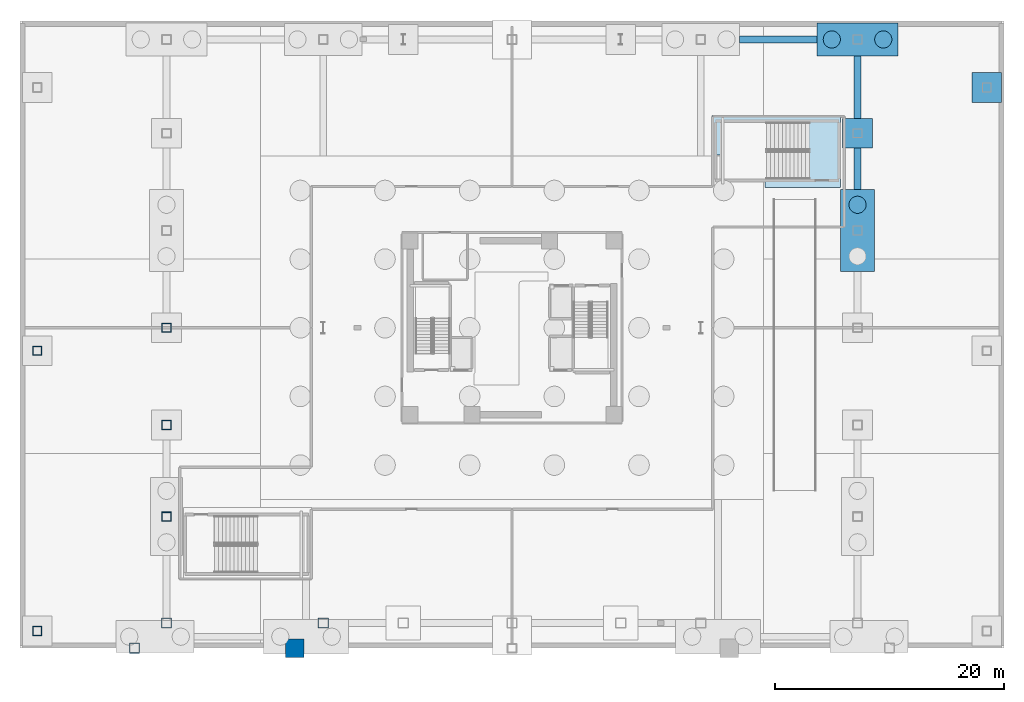
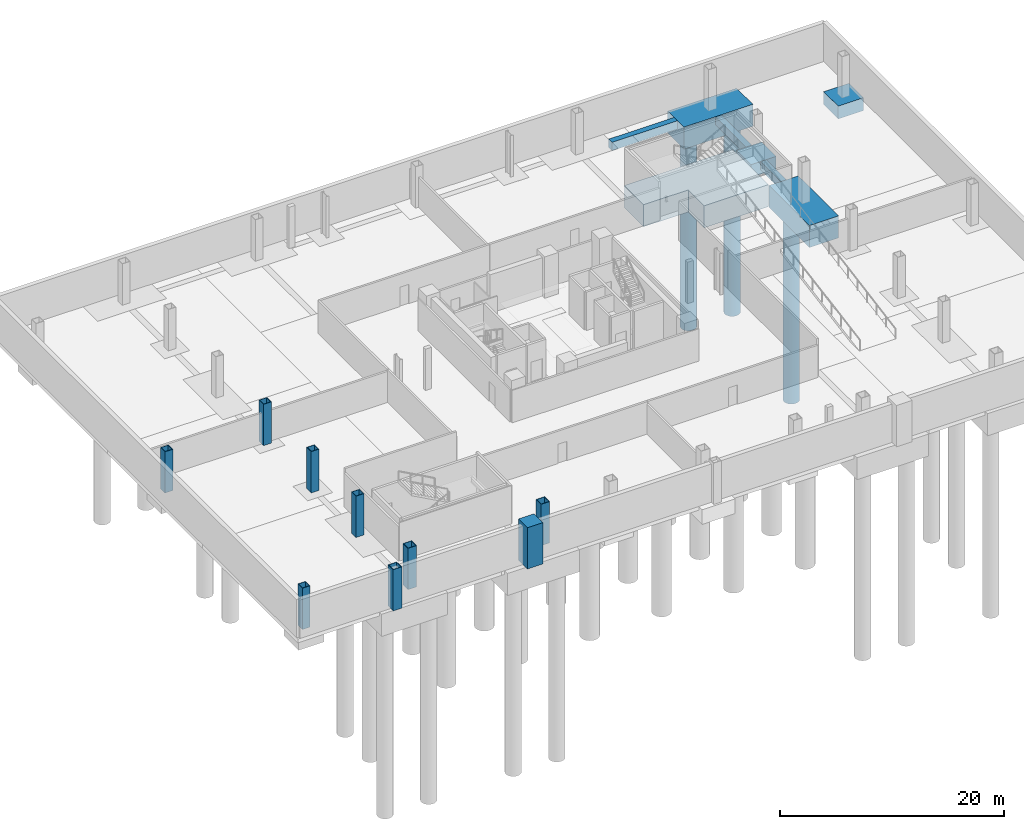
# One storey, part 2 of 15: 9 columns, 8 footings, 3 piles.
"""IFC4 building model written with IfcOpenShell, lengths in metres."""

from ifc_helpers import new_model, si_unit, direction, frame, origin, origin_2d, place, context, subcontext, project, spatial, polyline, rectangle, hollow_rectangle, circle, outline, extrude, material, layer, layer_set, material_profile, profile_set, type_object, element, save


model = new_model("IFC4")

# Units and contexts
model_context = context("Model", 3, precision=1e-05, world=origin(), true_north=direction((0.0, 1.0)))
body_context = subcontext(model_context, "Body", "Model", "MODEL_VIEW")
ifc_project = project(units=[si_unit("LENGTHUNIT", "METRE"), si_unit("AREAUNIT", "SQUARE_METRE"), si_unit("VOLUMEUNIT", "CUBIC_METRE"), si_unit("PLANEANGLEUNIT", "RADIAN"), si_unit("MASSUNIT", "GRAM", prefix="KILO")], contexts=[model_context])

# Site, building, storey
site_placement = place(None, origin())
site = spatial("IfcSite", under=ifc_project, at=site_placement, CompositionType="ELEMENT")
building_placement = place(site_placement, origin())
building = spatial("IfcBuilding", under=site, at=building_placement, Name="Tharavind Bronze Gate", CompositionType="ELEMENT")
storey_placement = place(building_placement, frame((0.0, 0.0, -9.0)))
storey = spatial("IfcBuildingStorey", under=building, at=storey_placement, Name="B02", CompositionType="ELEMENT", Elevation=-9.0)

# Piles
ifc_material_1 = material(Name="Concrete C50/60", Category="concrete")
ifc_material_profile_1 = material_profile(ifc_material_1, circle(Radius=0.75, at=origin_2d()), Name="PILE1500")
ifc_profile_set_1 = profile_set([ifc_material_profile_1], Name="Concrete C50/60")
pile_type = type_object("IfcPileType", Name="BORED CONCRETE PILE 1500", PredefinedType="BORED", material=ifc_profile_set_1)
for number, where, z_axis, x_axis, name in (
    (1, (27.949951171875, 25.199951171875, -2.25), (0.0, 0.0, -1.0), (1.0, 0.0, 0.0), "Cap CAP-N4 bored pile A"),
    (2, (32.449951171875, 25.199951171875, -2.25), (0.0, 0.0, -1.0), (1.0, 0.0, 0.0), "Cap CAP-N4 bored pile B"),
    (3, (30.199951171875, 10.75, -2.25), (0.0, 0.0, -1.0), (1.0, 0.0, 0.0), "Cap CAP-E2 bored pile B"),
):
    element("IfcPile", number, at=place(storey_placement, frame(where, z_axis=z_axis, x_axis=x_axis)), inside=storey, type_object=pile_type, Name=name, PredefinedType="BORED", context=body_context, shape_type="SweptSolid", body=[
        extrude(circle(Radius=0.75, at=origin_2d()), origin(), (0.0, 0.0, 1.0), 20.75),
    ])

# Footings
ifc_layer_1 = layer(ifc_material_1, 2.39990234375)
ifc_layer_set_1 = layer_set([ifc_layer_1], Name="Concrete C50/60")
footing_type_1 = type_object("IfcFootingType", Name="BORED PILE CAP 3000X7200X2400", PredefinedType="PILE_CAP", material=ifc_layer_set_1)
footing_1_placement = place(storey_placement, frame((0.0, 0.0, -2.39990234375)))
element("IfcFooting", 4, at=footing_1_placement, inside=storey, type_object=footing_type_1, Name="Perimeter bored pile cap CAP-E2", PredefinedType="PILE_CAP", context=body_context, shape_type="SweptSolid", body=[
    extrude(outline(polyline([(28.699951171875, 4.89990234375), (31.699951171875, 4.89990234375), (31.699951171875, 12.10009765625), (28.699951171875, 12.10009765625), (28.699951171875, 4.89990234375)])), origin(), (0.0, 0.0, 1.0), 2.39990234375),
])
ifc_layer_2 = layer(ifc_material_1, 2.39990234375)
ifc_layer_set_2 = layer_set([ifc_layer_2], Name="Concrete C50/60")
footing_type_2 = type_object("IfcFootingType", Name="BORED PILE CAP 7100X2900X2400", PredefinedType="PILE_CAP", material=ifc_layer_set_2)
footing_2_placement = place(storey_placement, frame((0.0, 0.0, -2.39990234375)))
element("IfcFooting", 5, at=footing_2_placement, inside=storey, type_object=footing_type_2, Name="Perimeter bored pile cap CAP-N4", PredefinedType="PILE_CAP", context=body_context, shape_type="SweptSolid", body=[
    extrude(outline(polyline([(26.64990234375, 23.75), (33.75, 23.75), (33.75, 26.64990234375), (26.64990234375, 26.64990234375), (26.64990234375, 23.75)])), origin(), (0.0, 0.0, 1.0), 2.39990234375),
])
ifc_material_profile_2 = material_profile(ifc_material_1, rectangle(XDim=0.60009765625, YDim=0.89990234375, at=origin_2d()), Name="RCBM600X900")
ifc_profile_set_2 = profile_set([ifc_material_profile_2], Name="Concrete C50/60")
footing_type_3 = type_object("IfcFootingType", Name="FOUNDATION GRADE BEAM 600X900", PredefinedType="FOOTING_BEAM", material=ifc_profile_set_2)
footing_3_placement = place(storey_placement, frame((19.89990234375, 25.199951171875, -0.449951171875), z_axis=(1.0, 0.0, 0.0), x_axis=(0.0, 1.0, 0.0)))
element("IfcFooting", 6, at=footing_3_placement, inside=storey, type_object=footing_type_3, Name="Foundation grade beam GB-N6", PredefinedType="FOOTING_BEAM", context=body_context, shape_type="SweptSolid", body=[
    extrude(rectangle(XDim=0.60009765625, YDim=0.89990234375, at=origin_2d()), origin(), (0.0, 0.0, 1.0), 6.75),
])
footing_4_placement = place(storey_placement, frame((30.199951171875, 12.10009765625, -0.449951171875), z_axis=(0.0, 1.0, 0.0), x_axis=(-1.0, 0.0, 0.0)))
element("IfcFooting", 7, at=footing_4_placement, inside=storey, type_object=footing_type_3, Name="Foundation grade beam GB-E4A", PredefinedType="FOOTING_BEAM", context=body_context, shape_type="SweptSolid", body=[
    extrude(rectangle(XDim=0.60009765625, YDim=0.89990234375, at=origin_2d()), origin(), (0.0, 0.0, 1.0), 3.599853515625),
])
footing_5_placement = place(storey_placement, frame((30.199951171875, 18.300048828125, -0.449951171875), z_axis=(0.0, 1.0, 0.0), x_axis=(-1.0, 0.0, 0.0)))
element("IfcFooting", 8, at=footing_5_placement, inside=storey, type_object=footing_type_3, Name="Foundation grade beam GB-E4B", PredefinedType="FOOTING_BEAM", context=body_context, shape_type="SweptSolid", body=[
    extrude(rectangle(XDim=0.60009765625, YDim=0.89990234375, at=origin_2d()), origin(), (0.0, 0.0, 1.0), 5.449951171875),
])
ifc_layer_3 = layer(ifc_material_1, 1.39990234375)
ifc_layer_set_3 = layer_set([ifc_layer_3], Name="Concrete C50/60")
footing_type_4 = type_object("IfcFootingType", Name="PAD FOOTING 2600X2600X1400", PredefinedType="PAD_FOOTING", material=ifc_layer_set_3)
footing_6_placement = place(storey_placement, frame((0.0, 0.0, -1.39990234375)))
element("IfcFooting", 9, at=footing_6_placement, inside=storey, type_object=footing_type_4, Name="Podium pad footing PAD-EN", PredefinedType="PAD_FOOTING", context=body_context, shape_type="SweptSolid", body=[
    extrude(outline(polyline([(28.89990234375, 15.699951171875), (31.5, 15.699951171875), (31.5, 18.300048828125), (28.89990234375, 18.300048828125), (28.89990234375, 15.699951171875)])), origin(), (0.0, 0.0, 1.0), 1.39990234375),
])
footing_7_placement = place(storey_placement, frame((0.0, 0.0, -1.39990234375)))
element("IfcFooting", 10, at=footing_7_placement, inside=storey, type_object=footing_type_4, Name="Podium pad footing PAD-BE3", PredefinedType="PAD_FOOTING", context=body_context, shape_type="SweptSolid", body=[
    extrude(outline(polyline([(40.199951171875, 19.699951171875), (42.800048828125, 19.699951171875), (42.800048828125, 22.300048828125), (40.199951171875, 22.300048828125), (40.199951171875, 19.699951171875)])), origin(), (0.0, 0.0, 1.0), 1.39990234375),
])
ifc_layer_4 = layer(ifc_material_1, 2.39990234375)
ifc_layer_set_4 = layer_set([ifc_layer_4], Name="Concrete C50/60")
footing_type_5 = type_object("IfcFootingType", Name="PILED MAT FOOTING STAIR 11200X6300X2400", PredefinedType="PAD_FOOTING", material=ifc_layer_set_4)
footing_8_placement = place(storey_placement, frame((0.0, 0.0, -2.39990234375)))
element("IfcFooting", 11, at=footing_8_placement, inside=storey, type_object=footing_type_5, Name="Podium stair ST4 mat footing", PredefinedType="PAD_FOOTING", context=body_context, shape_type="SweptSolid", body=[
    extrude(outline(polyline([(17.5, 15.10009765625), (22.10009765625, 15.10009765625), (22.10009765625, 12.25), (28.699951171875, 12.25), (28.699951171875, 18.550048828125), (17.5, 18.550048828125), (17.5, 15.10009765625)])), origin(), (0.0, 0.0, 1.0), 2.39990234375),
])

# Columns
ifc_material_2 = material(Name="Concrete C70/85", Category="concrete")
ifc_material_profile_3 = material_profile(ifc_material_2, rectangle(XDim=1.60009765625, YDim=1.60009765625, at=origin_2d()), Name="RCCOL1600")
ifc_profile_set_3 = profile_set([ifc_material_profile_3], Name="Concrete C70/85")
column_type_1 = type_object("IfcColumnType", Name="MEGA CORE COLUMN 1600", PredefinedType="COLUMN", material=ifc_profile_set_3)
column_placement = place(storey_placement, frame((-19.0, -28.0, 0.0), z_axis=(0.0, 0.0, 1.0), x_axis=(1.0, 0.0, 0.0)))
element("IfcColumn", 12, at=column_placement, inside=storey, type_object=column_type_1, Name="B02 podium column ARCHW", PredefinedType="COLUMN", context=body_context, shape_type="SweptSolid", body=[
    extrude(rectangle(XDim=1.60009765625, YDim=1.60009765625, at=origin_2d()), origin(), (0.0, 0.0, 1.0), 4.5),
])
ifc_material_3 = material(Name="Steel S460", Category="steel")
ifc_material_profile_4 = material_profile(ifc_material_3, hollow_rectangle(XDim=0.800048828125, YDim=0.800048828125, WallThickness=0.044921875, at=origin_2d()), Name="SHS800X45")
ifc_profile_set_4 = profile_set([ifc_material_profile_4], Name="Steel S460")
column_type_2 = type_object("IfcColumnType", Name="PERIMETER BOX COLUMN SHS800", PredefinedType="COLUMN", material=ifc_profile_set_4)
for number, where, z_axis, x_axis, name in (
    (13, (-30.199951171875, -16.5, 0.0), (0.0, 0.0, 1.0), (1.0, 0.0, 0.0), "B02 podium column PW14"),
    (14, (-30.199951171875, -8.5, 0.0), (0.0, 0.0, 1.0), (1.0, 0.0, 0.0), "B02 podium column PW22"),
    (15, (-30.199951171875, 0.0, 0.0), (0.0, 0.0, 1.0), (1.0, 0.0, 0.0), "B02 podium column PW30"),
    (16, (-41.5, -26.5, 0.0), (0.0, 0.0, 1.0), (1.0, 0.0, 0.0), "B02 podium column BSX8Y8"),
    (17, (-41.5, -2.0, 0.0), (0.0, 0.0, 1.0), (1.0, 0.0, 0.0), "B02 podium column BSX8Y33"),
):
    element("IfcColumn", number, at=place(storey_placement, frame(where, z_axis=z_axis, x_axis=x_axis)), inside=storey, type_object=column_type_2, Name=name, PredefinedType="COLUMN", context=body_context, shape_type="SweptSolid", body=[
        extrude(hollow_rectangle(XDim=0.800048828125, YDim=0.800048828125, WallThickness=0.044921875, at=origin_2d()), origin(), (0.0, 0.0, 1.0), 4.5),
    ])
ifc_material_profile_5 = material_profile(ifc_material_3, hollow_rectangle(XDim=0.89990234375, YDim=0.89990234375, WallThickness=0.050048828125, at=origin_2d()), Name="SHS900X50")
ifc_profile_set_5 = profile_set([ifc_material_profile_5], Name="Steel S460")
column_type_3 = type_object("IfcColumnType", Name="PERIMETER BOX COLUMN SHS900", PredefinedType="COLUMN", material=ifc_profile_set_5)
for number, where, z_axis, x_axis, name in (
    (18, (-30.199951171875, -25.800048828125, 0.0), (0.0, 0.0, 1.0), (1.0, 0.0, 0.0), "B02 podium column PS10"),
    (19, (-16.5, -25.800048828125, 0.0), (0.0, 0.0, 1.0), (1.0, 0.0, 0.0), "B02 podium column PS24"),
    (20, (-33.0, -28.0, 0.0), (0.0, 0.0, 1.0), (1.0, 0.0, 0.0), "B02 podium column CRNS1"),
):
    element("IfcColumn", number, at=place(storey_placement, frame(where, z_axis=z_axis, x_axis=x_axis)), inside=storey, type_object=column_type_3, Name=name, PredefinedType="COLUMN", context=body_context, shape_type="SweptSolid", body=[
        extrude(hollow_rectangle(XDim=0.89990234375, YDim=0.89990234375, WallThickness=0.050048828125, at=origin_2d()), origin(), (0.0, 0.0, 1.0), 4.5),
    ])

save(model, "model.ifc")
